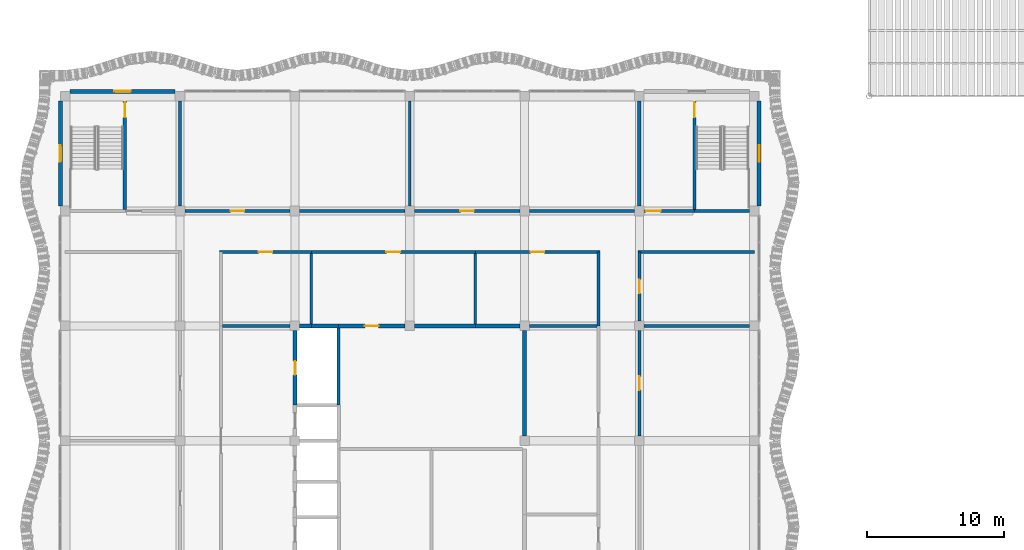
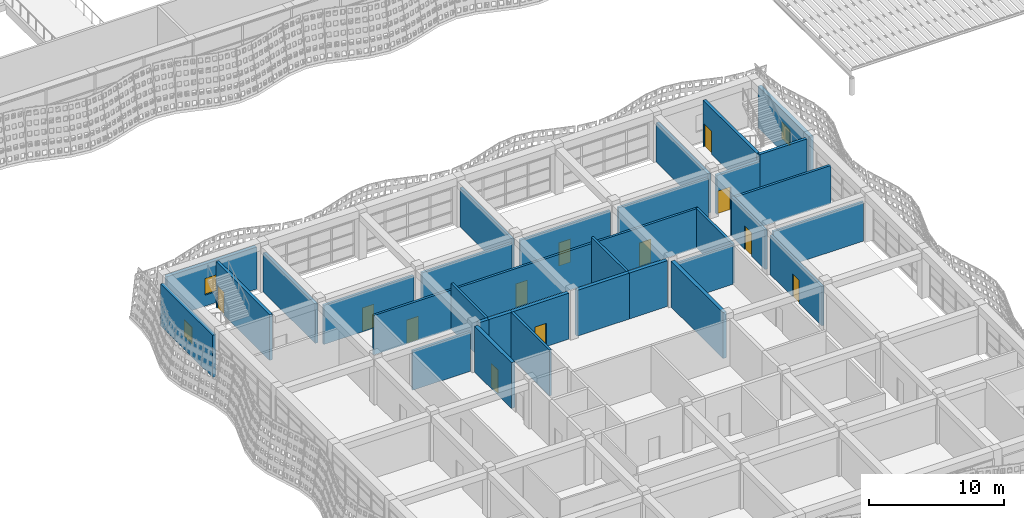
# One storey, part 80 of 162: 34 walls, 12 doors, 3 windows, 15 openings.
"""IFC4 building model written with IfcOpenShell, lengths in metres."""

from ifc_helpers import new_model, si_unit, direction, frame, frame_2d, origin, place, context, subcontext, project, spatial, rectangle, extrude, material, layer, layer_set, type_object, element, fill, save


model = new_model("IFC4")

# Units and contexts
model_context = context("Model", 3, precision=1e-05, world=origin(), true_north=direction((0.0, 1.0)))
body_context = subcontext(model_context, "Body", "Model", "MODEL_VIEW")
ifc_project = project(units=[si_unit("LENGTHUNIT", "METRE"), si_unit("AREAUNIT", "SQUARE_METRE"), si_unit("VOLUMEUNIT", "CUBIC_METRE"), si_unit("PLANEANGLEUNIT", "RADIAN"), si_unit("MASSUNIT", "GRAM", prefix="KILO")], contexts=[model_context])

# Site, building, storey
site_placement = place(None, origin())
site = spatial("IfcSite", under=ifc_project, at=site_placement, CompositionType="ELEMENT")
building_placement = place(site_placement, origin())
building = spatial("IfcBuilding", under=site, at=building_placement, Name="Rain Tree Exposition and Congress Centre", CompositionType="ELEMENT")
storey_placement = place(building_placement, frame((0.0, 0.0, 6.0)))
storey = spatial("IfcBuildingStorey", under=building, at=storey_placement, Name="L01", CompositionType="ELEMENT", Elevation=6.0)

# Walls
ifc_material_1 = material(Name="Plasterboard on steel stud", Category="steel")
ifc_layer_1 = layer(ifc_material_1, 0.199951171875)
ifc_layer_set_1 = layer_set([ifc_layer_1], Name="Plasterboard on steel stud")
wall_type_1 = type_object("IfcWallType", Name="Wing acoustic partition 200", PredefinedType="PARTITIONING", material=ifc_layer_set_1)
wall_1_placement = place(storey_placement, frame((11.5, 33.60009765625, 0.0), z_axis=(0.0, 0.0, 1.0), x_axis=(1.0, 0.0, 0.0)))
element("IfcWall", 1, at=wall_1_placement, inside=storey, type_object=wall_type_1, Name="wing/wall/L01/031", PredefinedType="PARTITIONING", context=body_context, shape_type="SweptSolid", body=[
    extrude(rectangle(XDim=4.949951171875, YDim=0.199951171875, at=frame_2d((2.47509765625, 0.0))), origin(), (0.0, 0.0, 1.0), 3.550048828125),
])
wall_2_placement = place(storey_placement, frame((42.35009765625, 33.60009765625, 0.0), z_axis=(0.0, 0.0, 1.0), x_axis=(1.0, 0.0, 0.0)))
element("IfcWall", 2, at=wall_2_placement, inside=storey, type_object=wall_type_1, Name="wing/wall/L01/038", PredefinedType="PARTITIONING", context=body_context, shape_type="SweptSolid", body=[
    extrude(rectangle(XDim=7.699951171875, YDim=0.199951171875, at=frame_2d((3.85009765625, 0.0))), origin(), (0.0, 0.0, 1.0), 3.550048828125),
])

# Wall, opening, door
wall_3_placement = place(storey_placement, frame((11.300048828125, 39.0, 0.0), z_axis=(0.0, 0.0, 1.0), x_axis=(1.0, 0.0, 0.0)))
wall_3 = element("IfcWall", 3, at=wall_3_placement, inside=storey, type_object=wall_type_1, Name="wing/wall/L01/040", PredefinedType="PARTITIONING", context=body_context, shape_type="SweptSolid", body=[
    extrude(rectangle(XDim=6.699951171875, YDim=0.199951171875, at=frame_2d((3.35009765625, 0.0))), origin(), (0.0, 0.0, 1.0), 3.550048828125),
])
opening_1_placement = place(wall_3_placement, frame((2.85009765625, 0.0, 0.0)))
opening_1 = element("IfcOpeningElement", 4, at=opening_1_placement, cuts=wall_3, Name="Opening DW234", PredefinedType="OPENING", context=body_context, shape_type="SweptSolid", body=[
    extrude(rectangle(XDim=1.0, YDim=2.10009765625, at=frame_2d((0.5, 1.050048828125))), frame((0.0, 0.10009765625, 0.0), z_axis=(0.0, -1.0, 0.0), x_axis=(1.0, 0.0, 0.0)), (0.0, 0.0, 1.0), 0.199951171875),
])
ifc_material_2 = material(Name="Timber door leaf", Category="wood")
door_type_1 = type_object("IfcDoorType", Name="Wing door FD30S 1000x2100", OperationType="NOTDEFINED", PredefinedType="DOOR", material=ifc_material_2)
door_1_placement = place(opening_1_placement, origin())
door_1 = element("IfcDoor", 5, at=door_1_placement, inside=storey, type_object=door_type_1, Name="Door DW234", OperationType="SINGLE_SWING_LEFT", OverallHeight=2.10009765625, OverallWidth=1.0, PredefinedType="DOOR", context=body_context, shape_type="SweptSolid", body=[
    extrude(rectangle(XDim=1.0, YDim=2.10009765625, at=frame_2d((0.5, 1.050048828125))), frame((0.0, 0.02490234375, 0.0), z_axis=(0.0, -1.0, 0.0), x_axis=(1.0, 0.0, 0.0)), (0.0, 0.0, 1.0), 0.050048828125),
])
fill(opening_1, door_1)

# Wall
wall_4_placement = place(storey_placement, frame((41.89990234375, 39.0, 0.0), z_axis=(0.0, 0.0, 1.0), x_axis=(1.0, 0.0, 0.0)))
element("IfcWall", 6, at=wall_4_placement, inside=storey, type_object=wall_type_1, Name="wing/wall/L01/043", PredefinedType="PARTITIONING", context=body_context, shape_type="SweptSolid", body=[
    extrude(rectangle(XDim=8.5, YDim=0.199951171875, at=frame_2d((4.25, 0.0))), origin(), (0.0, 0.0, 1.0), 3.449951171875),
])

# Wall, opening, door
wall_5_placement = place(storey_placement, frame((8.75, 42.0, 0.0), z_axis=(0.0, 0.0, 1.0), x_axis=(1.0, 0.0, 0.0)))
wall_5 = element("IfcWall", 7, at=wall_5_placement, inside=storey, type_object=wall_type_1, Name="wing/wall/L01/046", PredefinedType="PARTITIONING", context=body_context, shape_type="SweptSolid", body=[
    extrude(rectangle(XDim=7.699951171875, YDim=0.199951171875, at=frame_2d((3.85009765625, 0.0))), origin(), (0.0, 0.0, 1.0), 3.550048828125),
])
opening_2_placement = place(wall_5_placement, frame((3.35009765625, 0.0, 0.0)))
opening_2 = element("IfcOpeningElement", 8, at=opening_2_placement, cuts=wall_5, Name="Opening DW230", PredefinedType="OPENING", context=body_context, shape_type="SweptSolid", body=[
    extrude(rectangle(XDim=1.0, YDim=2.10009765625, at=frame_2d((0.5, 1.050048828125))), frame((0.0, 0.10009765625, 0.0), z_axis=(0.0, -1.0, 0.0), x_axis=(1.0, 0.0, 0.0)), (0.0, 0.0, 1.0), 0.199951171875),
])
door_2_placement = place(opening_2_placement, origin())
door_2 = element("IfcDoor", 9, at=door_2_placement, inside=storey, type_object=door_type_1, Name="Door DW230", OperationType="SINGLE_SWING_LEFT", OverallHeight=2.10009765625, OverallWidth=1.0, PredefinedType="DOOR", context=body_context, shape_type="SweptSolid", body=[
    extrude(rectangle(XDim=1.0, YDim=2.10009765625, at=frame_2d((0.5, 1.050048828125))), frame((0.0, 0.02490234375, 0.0), z_axis=(0.0, -1.0, 0.0), x_axis=(1.0, 0.0, 0.0)), (0.0, 0.0, 1.0), 0.050048828125),
])
fill(opening_2, door_2)

# Wall
wall_6_placement = place(storey_placement, frame((17.14990234375, 42.0, 0.0), z_axis=(0.0, 0.0, 1.0), x_axis=(1.0, 0.0, 0.0)))
element("IfcWall", 10, at=wall_6_placement, inside=storey, type_object=wall_type_1, Name="wing/wall/L01/047", PredefinedType="PARTITIONING", context=body_context, shape_type="SweptSolid", body=[
    extrude(rectangle(XDim=7.7001953125, YDim=0.199951171875, at=frame_2d((3.85009765625, 0.0))), origin(), (0.0, 0.0, 1.0), 3.550048828125),
])

# Wall, opening, door
wall_7_placement = place(storey_placement, frame((25.550048828125, 42.0, 0.0), z_axis=(0.0, 0.0, 1.0), x_axis=(1.0, 0.0, 0.0)))
wall_7 = element("IfcWall", 11, at=wall_7_placement, inside=storey, type_object=wall_type_1, Name="wing/wall/L01/048", PredefinedType="PARTITIONING", context=body_context, shape_type="SweptSolid", body=[
    extrude(rectangle(XDim=7.699951171875, YDim=0.199951171875, at=frame_2d((3.85009765625, 0.0))), origin(), (0.0, 0.0, 1.0), 3.550048828125),
])
opening_3_placement = place(wall_7_placement, frame((3.35009765625, 0.0, 0.0)))
opening_3 = element("IfcOpeningElement", 12, at=opening_3_placement, cuts=wall_7, Name="Opening DW231", PredefinedType="OPENING", context=body_context, shape_type="SweptSolid", body=[
    extrude(rectangle(XDim=1.0, YDim=2.10009765625, at=frame_2d((0.5, 1.050048828125))), frame((0.0, 0.10009765625, 0.0), z_axis=(0.0, -1.0, 0.0), x_axis=(1.0, 0.0, 0.0)), (0.0, 0.0, 1.0), 0.199951171875),
])
door_3_placement = place(opening_3_placement, origin())
door_3 = element("IfcDoor", 13, at=door_3_placement, inside=storey, type_object=door_type_1, Name="Door DW231", OperationType="SINGLE_SWING_LEFT", OverallHeight=2.10009765625, OverallWidth=1.0, PredefinedType="DOOR", context=body_context, shape_type="SweptSolid", body=[
    extrude(rectangle(XDim=1.0, YDim=2.10009765625, at=frame_2d((0.5, 1.050048828125))), frame((0.0, 0.02490234375, 0.0), z_axis=(0.0, -1.0, 0.0), x_axis=(1.0, 0.0, 0.0)), (0.0, 0.0, 1.0), 0.050048828125),
])
fill(opening_3, door_3)

# Walls
for number, where, z_axis, x_axis, name in (
    (14, (33.949951171875, 42.0, 0.0), (0.0, 0.0, 1.0), (1.0, 0.0, 0.0), "wing/wall/L01/049"),
    (15, (25.199951171875, 42.35009765625, 0.0), (0.0, 0.0, 1.0), (0.0, 1.0, 0.0), "wing/wall/L01/078"),
):
    element("IfcWall", number, at=place(storey_placement, frame(where, z_axis=z_axis, x_axis=x_axis)), inside=storey, type_object=wall_type_1, Name=name, PredefinedType="PARTITIONING", context=body_context, shape_type="SweptSolid", body=[
        extrude(rectangle(XDim=7.699951171875, YDim=0.199951171875, at=frame_2d((3.85009765625, 0.0))), origin(), (0.0, 0.0, 1.0), 3.550048828125),
    ])

# Wall, opening, door
wall_8_placement = place(storey_placement, frame((42.0, 25.550048828125, 0.0), z_axis=(0.0, 0.0, 1.0), x_axis=(0.0, 1.0, 0.0)))
wall_8 = element("IfcWall", 16, at=wall_8_placement, inside=storey, type_object=wall_type_1, Name="wing/wall/L01/093", PredefinedType="PARTITIONING", context=body_context, shape_type="SweptSolid", body=[
    extrude(rectangle(XDim=7.699951171875, YDim=0.199951171875, at=frame_2d((3.85009765625, 0.0))), origin(), (0.0, 0.0, 1.0), 3.550048828125),
])
opening_4_placement = place(wall_8_placement, frame((3.35009765625, 0.0, 0.0)))
opening_4 = element("IfcOpeningElement", 17, at=opening_4_placement, cuts=wall_8, Name="Opening DW226", PredefinedType="OPENING", context=body_context, shape_type="SweptSolid", body=[
    extrude(rectangle(XDim=1.0, YDim=2.10009765625, at=frame_2d((0.5, 1.050048828125))), frame((0.0, 0.10009765625, 0.0), z_axis=(0.0, -1.0, 0.0), x_axis=(1.0, 0.0, 0.0)), (0.0, 0.0, 1.0), 0.199951171875),
])
door_4_placement = place(opening_4_placement, origin())
door_4 = element("IfcDoor", 18, at=door_4_placement, inside=storey, type_object=door_type_1, Name="Door DW226", OperationType="SINGLE_SWING_LEFT", OverallHeight=2.10009765625, OverallWidth=1.0, PredefinedType="DOOR", context=body_context, shape_type="SweptSolid", body=[
    extrude(rectangle(XDim=1.0, YDim=2.10009765625, at=frame_2d((0.5, 1.050048828125))), frame((0.0, 0.02490234375, 0.0), z_axis=(0.0, -1.0, 0.0), x_axis=(1.0, 0.0, 0.0)), (0.0, 0.0, 1.0), 0.050048828125),
])
fill(opening_4, door_4)

wall_9_placement = place(storey_placement, frame((42.0, 33.949951171875, 0.0), z_axis=(0.0, 0.0, 1.0), x_axis=(0.0, 1.0, 0.0)))
wall_9 = element("IfcWall", 19, at=wall_9_placement, inside=storey, type_object=wall_type_1, Name="wing/wall/L01/094", PredefinedType="PARTITIONING", context=body_context, shape_type="SweptSolid", body=[
    extrude(rectangle(XDim=5.050048828125, YDim=0.199951171875, at=frame_2d((2.52490234375, 0.0))), origin(), (0.0, 0.0, 1.0), 3.550048828125),
])
opening_5_placement = place(wall_9_placement, frame((2.02490234375, 0.0, 0.0)))
opening_5 = element("IfcOpeningElement", 20, at=opening_5_placement, cuts=wall_9, Name="Opening DW227", PredefinedType="OPENING", context=body_context, shape_type="SweptSolid", body=[
    extrude(rectangle(XDim=1.0, YDim=2.10009765625, at=frame_2d((0.5, 1.050048828125))), frame((0.0, 0.10009765625, 0.0), z_axis=(0.0, -1.0, 0.0), x_axis=(1.0, 0.0, 0.0)), (0.0, 0.0, 1.0), 0.199951171875),
])
door_5_placement = place(opening_5_placement, origin())
door_5 = element("IfcDoor", 21, at=door_5_placement, inside=storey, type_object=door_type_1, Name="Door DW227", OperationType="SINGLE_SWING_LEFT", OverallHeight=2.10009765625, OverallWidth=1.0, PredefinedType="DOOR", context=body_context, shape_type="SweptSolid", body=[
    extrude(rectangle(XDim=1.0, YDim=2.10009765625, at=frame_2d((0.5, 1.050048828125))), frame((0.0, 0.02490234375, 0.0), z_axis=(0.0, -1.0, 0.0), x_axis=(1.0, 0.0, 0.0)), (0.0, 0.0, 1.0), 0.050048828125),
])
fill(opening_5, door_5)

# Walls
ifc_material_3 = material(Name="Concrete C40/50", Category="concrete")
ifc_layer_2 = layer(ifc_material_3, 0.300048828125)
ifc_layer_set_2 = layer_set([ifc_layer_2], Name="Concrete C40/50")
wall_type_2 = type_object("IfcWallType", Name="Wing core wall 300", PredefinedType="SHEAR", material=ifc_layer_set_2)
wall_10_placement = place(storey_placement, frame((17.14990234375, 33.60009765625, 0.0), z_axis=(0.0, 0.0, 1.0), x_axis=(1.0, 0.0, 0.0)))
element("IfcWall", 22, at=wall_10_placement, inside=storey, type_object=wall_type_2, Name="wing/wall/L01/032", PredefinedType="SHEAR", context=body_context, shape_type="SweptSolid", body=[
    extrude(rectangle(XDim=0.85009765625, YDim=0.300048828125, at=frame_2d((0.425048828125, 0.0))), origin(), (0.0, 0.0, 1.0), 4.14990234375),
])
wall_11_placement = place(storey_placement, frame((18.0, 33.60009765625, 0.0), z_axis=(0.0, 0.0, 1.0), x_axis=(1.0, 0.0, 0.0)))
element("IfcWall", 23, at=wall_11_placement, inside=storey, type_object=wall_type_2, Name="wing/wall/L01/033", PredefinedType="SHEAR", context=body_context, shape_type="SweptSolid", body=[
    extrude(rectangle(XDim=2.0, YDim=0.300048828125, at=frame_2d((1.0, 0.0))), origin(), (0.0, 0.0, 1.0), 4.14990234375),
])

# Wall, opening, door
wall_12_placement = place(storey_placement, frame((20.0, 33.60009765625, 0.0), z_axis=(0.0, 0.0, 1.0), x_axis=(1.0, 0.0, 0.0)))
wall_12 = element("IfcWall", 24, at=wall_12_placement, inside=storey, type_object=wall_type_2, Name="wing/wall/L01/034", PredefinedType="SHEAR", context=body_context, shape_type="SweptSolid", body=[
    extrude(rectangle(XDim=4.85009765625, YDim=0.300048828125, at=frame_2d((2.425048828125, 0.0))), origin(), (0.0, 0.0, 1.0), 4.14990234375),
])
opening_6_placement = place(wall_12_placement, frame((1.925048828125, 0.0, 0.0)))
opening_6 = element("IfcOpeningElement", 25, at=opening_6_placement, cuts=wall_12, Name="Opening DW216", PredefinedType="OPENING", context=body_context, shape_type="SweptSolid", body=[
    extrude(rectangle(XDim=1.0, YDim=2.10009765625, at=frame_2d((0.5, 1.050048828125))), frame((0.0, 0.14990234375, 0.0), z_axis=(0.0, -1.0, 0.0), x_axis=(1.0, 0.0, 0.0)), (0.0, 0.0, 1.0), 0.300048828125),
])
ifc_material_4 = material(Name="Timber door leaf", Category="wood")
door_type_2 = type_object("IfcDoorType", Name="Wing door FD60 1000x2100", OperationType="NOTDEFINED", PredefinedType="DOOR", material=ifc_material_4)
door_6_placement = place(opening_6_placement, origin())
door_6 = element("IfcDoor", 26, at=door_6_placement, inside=storey, type_object=door_type_2, Name="Door DW216", OperationType="SINGLE_SWING_LEFT", OverallHeight=2.10009765625, OverallWidth=1.0, PredefinedType="DOOR", context=body_context, shape_type="SweptSolid", body=[
    extrude(rectangle(XDim=1.0, YDim=2.10009765625, at=frame_2d((0.5, 1.050048828125))), frame((0.0, 0.02490234375, 0.0), z_axis=(0.0, -1.0, 0.0), x_axis=(1.0, 0.0, 0.0)), (0.0, 0.0, 1.0), 0.050048828125),
])
fill(opening_6, door_6)

# Walls
wall_13_placement = place(storey_placement, frame((25.550048828125, 33.60009765625, 0.0), z_axis=(0.0, 0.0, 1.0), x_axis=(1.0, 0.0, 0.0)))
element("IfcWall", 27, at=wall_13_placement, inside=storey, type_object=wall_type_2, Name="wing/wall/L01/035", PredefinedType="SHEAR", context=body_context, shape_type="SweptSolid", body=[
    extrude(rectangle(XDim=4.449951171875, YDim=0.300048828125, at=frame_2d((2.22509765625, 0.0))), origin(), (0.0, 0.0, 1.0), 4.14990234375),
])
wall_14_placement = place(storey_placement, frame((30.0, 33.60009765625, 0.0), z_axis=(0.0, 0.0, 1.0), x_axis=(1.0, 0.0, 0.0)))
element("IfcWall", 28, at=wall_14_placement, inside=storey, type_object=wall_type_2, Name="wing/wall/L01/036", PredefinedType="SHEAR", context=body_context, shape_type="SweptSolid", body=[
    extrude(rectangle(XDim=3.25, YDim=0.300048828125, at=frame_2d((1.625, 0.0))), origin(), (0.0, 0.0, 1.0), 4.14990234375),
])

# Wall, opening, door
wall_15_placement = place(storey_placement, frame((16.800048828125, 27.800048828125, 0.0), z_axis=(0.0, 0.0, 1.0), x_axis=(0.0, 1.0, 0.0)))
wall_15 = element("IfcWall", 29, at=wall_15_placement, inside=storey, type_object=wall_type_2, Name="wing/wall/L01/068", PredefinedType="SHEAR", context=body_context, shape_type="SweptSolid", body=[
    extrude(rectangle(XDim=5.449951171875, YDim=0.300048828125, at=frame_2d((2.72509765625, 0.0))), origin(), (0.0, 0.0, 1.0), 4.14990234375),
])
opening_7_placement = place(wall_15_placement, frame((2.22509765625, 0.0, 0.0)))
opening_7 = element("IfcOpeningElement", 30, at=opening_7_placement, cuts=wall_15, Name="Opening DW213", PredefinedType="OPENING", context=body_context, shape_type="SweptSolid", body=[
    extrude(rectangle(XDim=1.0, YDim=2.10009765625, at=frame_2d((0.5, 1.050048828125))), frame((0.0, 0.14990234375, 0.0), z_axis=(0.0, -1.0, 0.0), x_axis=(1.0, 0.0, 0.0)), (0.0, 0.0, 1.0), 0.300048828125),
])
ifc_material_5 = material(Name="Timber door leaf", Category="wood")
door_type_3 = type_object("IfcDoorType", Name="Wing riser access door FD60 1000x2100", OperationType="NOTDEFINED", PredefinedType="DOOR", material=ifc_material_5)
door_7_placement = place(opening_7_placement, origin())
door_7 = element("IfcDoor", 31, at=door_7_placement, inside=storey, type_object=door_type_3, Name="Riser access door DW213", OperationType="SINGLE_SWING_LEFT", OverallHeight=2.10009765625, OverallWidth=1.0, PredefinedType="DOOR", context=body_context, shape_type="SweptSolid", body=[
    extrude(rectangle(XDim=1.0, YDim=2.10009765625, at=frame_2d((0.5, 1.050048828125))), frame((0.0, 0.02490234375, 0.0), z_axis=(0.0, -1.0, 0.0), x_axis=(1.0, 0.0, 0.0)), (0.0, 0.0, 1.0), 0.050048828125),
])
fill(opening_7, door_7)

# Wall
wall_16_placement = place(storey_placement, frame((33.60009765625, 25.550048828125, 0.0), z_axis=(0.0, 0.0, 1.0), x_axis=(0.0, 1.0, 0.0)))
element("IfcWall", 32, at=wall_16_placement, inside=storey, type_object=wall_type_2, Name="wing/wall/L01/085", PredefinedType="SHEAR", context=body_context, shape_type="SweptSolid", body=[
    extrude(rectangle(XDim=7.699951171875, YDim=0.300048828125, at=frame_2d((3.85009765625, 0.0))), origin(), (0.0, 0.0, 1.0), 4.14990234375),
])

# Wall, opening, window
ifc_material_6 = material(Name="Insulated cavity wall")
ifc_layer_3 = layer(ifc_material_6, 0.300048828125)
ifc_layer_set_3 = layer_set([ifc_layer_3], Name="Insulated cavity wall")
wall_type_3 = type_object("IfcWallType", Name="Wing external wall 300", PredefinedType="SOLIDWALL", material=ifc_layer_set_3)
wall_17_placement = place(storey_placement, frame((0.35009765625, 50.75, 0.0), z_axis=(0.0, 0.0, 1.0), x_axis=(1.0, 0.0, 0.0)))
wall_17 = element("IfcWall", 33, at=wall_17_placement, inside=storey, type_object=wall_type_3, Name="wing/facade/L01/N0", PredefinedType="SOLIDWALL", context=body_context, shape_type="SweptSolid", body=[
    extrude(rectangle(XDim=7.699951171875, YDim=0.300048828125, at=frame_2d((3.85009765625, 0.0))), origin(), (0.0, 0.0, 1.0), 3.800048828125),
])
opening_8_placement = place(wall_17_placement, frame((3.25, 0.0, 1.0)))
opening_8 = element("IfcOpeningElement", 34, at=opening_8_placement, cuts=wall_17, Name="Opening WW203", PredefinedType="OPENING", context=body_context, shape_type="SweptSolid", body=[
    extrude(rectangle(XDim=1.199951171875, YDim=1.5, at=frame_2d((0.60009765625, 0.75))), frame((0.0, 0.14990234375, 0.0), z_axis=(0.0, -1.0, 0.0), x_axis=(1.0, 0.0, 0.0)), (0.0, 0.0, 1.0), 0.300048828125),
])
ifc_material_7 = material(Name="Aluminium framed glazing", Category="aluminium")
window_type = type_object("IfcWindowType", Name="Wing window 1200x1500", PartitioningType="SINGLE_PANEL", PredefinedType="WINDOW", material=ifc_material_7)
window_1_placement = place(opening_8_placement, origin())
window_1 = element("IfcWindow", 35, at=window_1_placement, inside=storey, type_object=window_type, Name="wing/window/L01/03", OverallHeight=1.5, OverallWidth=1.199951171875, PartitioningType="SINGLE_PANEL", PredefinedType="WINDOW", context=body_context, shape_type="SweptSolid", body=[
    extrude(rectangle(XDim=1.199951171875, YDim=1.5, at=frame_2d((0.60009765625, 0.75))), frame((0.0, 0.030029296875, 0.0), z_axis=(0.0, -1.0, 0.0), x_axis=(1.0, 0.0, 0.0)), (0.0, 0.0, 1.0), 0.06005859375),
])
fill(opening_8, window_1)

wall_18_placement = place(storey_placement, frame((-0.35009765625, 42.35009765625, 0.0), z_axis=(0.0, 0.0, 1.0), x_axis=(0.0, 1.0, 0.0)))
wall_18 = element("IfcWall", 36, at=wall_18_placement, inside=storey, type_object=wall_type_3, Name="wing/facade/L01/W5", PredefinedType="SOLIDWALL", context=body_context, shape_type="SweptSolid", body=[
    extrude(rectangle(XDim=7.699951171875, YDim=0.300048828125, at=frame_2d((3.85009765625, 0.0))), origin(), (0.0, 0.0, 1.0), 3.800048828125),
])
opening_9_placement = place(wall_18_placement, frame((3.25, 0.0, 1.0)))
opening_9 = element("IfcOpeningElement", 37, at=opening_9_placement, cuts=wall_18, Name="Opening WW206", PredefinedType="OPENING", context=body_context, shape_type="SweptSolid", body=[
    extrude(rectangle(XDim=1.199951171875, YDim=1.5, at=frame_2d((0.60009765625, 0.75))), frame((0.0, 0.14990234375, 0.0), z_axis=(0.0, -1.0, 0.0), x_axis=(1.0, 0.0, 0.0)), (0.0, 0.0, 1.0), 0.300048828125),
])
window_2_placement = place(opening_9_placement, origin())
window_2 = element("IfcWindow", 38, at=window_2_placement, inside=storey, type_object=window_type, Name="wing/window/L01/06", OverallHeight=1.5, OverallWidth=1.199951171875, PartitioningType="SINGLE_PANEL", PredefinedType="WINDOW", context=body_context, shape_type="SweptSolid", body=[
    extrude(rectangle(XDim=1.199951171875, YDim=1.5, at=frame_2d((0.60009765625, 0.75))), frame((0.0, 0.030029296875, 0.0), z_axis=(0.0, -1.0, 0.0), x_axis=(1.0, 0.0, 0.0)), (0.0, 0.0, 1.0), 0.06005859375),
])
fill(opening_9, window_2)

wall_19_placement = place(storey_placement, frame((50.75, 42.35009765625, 0.0), z_axis=(0.0, 0.0, 1.0), x_axis=(0.0, 1.0, 0.0)))
wall_19 = element("IfcWall", 39, at=wall_19_placement, inside=storey, type_object=wall_type_3, Name="wing/facade/L01/E5", PredefinedType="SOLIDWALL", context=body_context, shape_type="SweptSolid", body=[
    extrude(rectangle(XDim=7.699951171875, YDim=0.300048828125, at=frame_2d((3.85009765625, 0.0))), origin(), (0.0, 0.0, 1.0), 3.800048828125),
])
opening_10_placement = place(wall_19_placement, frame((3.25, 0.0, 1.0)))
opening_10 = element("IfcOpeningElement", 40, at=opening_10_placement, cuts=wall_19, Name="Opening WW208", PredefinedType="OPENING", context=body_context, shape_type="SweptSolid", body=[
    extrude(rectangle(XDim=1.199951171875, YDim=1.5, at=frame_2d((0.60009765625, 0.75))), frame((0.0, 0.14990234375, 0.0), z_axis=(0.0, -1.0, 0.0), x_axis=(1.0, 0.0, 0.0)), (0.0, 0.0, 1.0), 0.300048828125),
])
window_3_placement = place(opening_10_placement, origin())
window_3 = element("IfcWindow", 41, at=window_3_placement, inside=storey, type_object=window_type, Name="wing/window/L01/08", OverallHeight=1.5, OverallWidth=1.199951171875, PartitioningType="SINGLE_PANEL", PredefinedType="WINDOW", context=body_context, shape_type="SweptSolid", body=[
    extrude(rectangle(XDim=1.199951171875, YDim=1.5, at=frame_2d((0.60009765625, 0.75))), frame((0.0, 0.030029296875, 0.0), z_axis=(0.0, -1.0, 0.0), x_axis=(1.0, 0.0, 0.0)), (0.0, 0.0, 1.0), 0.06005859375),
])
fill(opening_10, window_3)

# Wall
ifc_material_8 = material(Name="Dense blockwork", Category="masonry")
ifc_layer_4 = layer(ifc_material_8, 0.199951171875)
ifc_layer_set_4 = layer_set([ifc_layer_4], Name="Dense blockwork")
wall_type_4 = type_object("IfcWallType", Name="Wing kitchen wall 200", PredefinedType="SOLIDWALL", material=ifc_layer_set_4)
wall_20_placement = place(storey_placement, frame((33.949951171875, 33.60009765625, 0.0), z_axis=(0.0, 0.0, 1.0), x_axis=(1.0, 0.0, 0.0)))
element("IfcWall", 42, at=wall_20_placement, inside=storey, type_object=wall_type_4, Name="wing/wall/L01/037", PredefinedType="SOLIDWALL", context=body_context, shape_type="SweptSolid", body=[
    extrude(rectangle(XDim=4.949951171875, YDim=0.199951171875, at=frame_2d((2.47509765625, 0.0))), origin(), (0.0, 0.0, 1.0), 3.550048828125),
])

# Wall, opening, door
wall_21_placement = place(storey_placement, frame((30.0, 39.0, 0.0), z_axis=(0.0, 0.0, 1.0), x_axis=(1.0, 0.0, 0.0)))
wall_21 = element("IfcWall", 43, at=wall_21_placement, inside=storey, type_object=wall_type_4, Name="wing/wall/L01/042", PredefinedType="SOLIDWALL", context=body_context, shape_type="SweptSolid", body=[
    extrude(rectangle(XDim=9.10009765625, YDim=0.199951171875, at=frame_2d((4.550048828125, 0.0))), origin(), (0.0, 0.0, 1.0), 3.550048828125),
])
opening_11_placement = place(wall_21_placement, frame((4.050048828125, 0.0, 0.0)))
opening_11 = element("IfcOpeningElement", 44, at=opening_11_placement, cuts=wall_21, Name="Opening DW235", PredefinedType="OPENING", context=body_context, shape_type="SweptSolid", body=[
    extrude(rectangle(XDim=1.0, YDim=2.10009765625, at=frame_2d((0.5, 1.050048828125))), frame((0.0, 0.10009765625, 0.0), z_axis=(0.0, -1.0, 0.0), x_axis=(1.0, 0.0, 0.0)), (0.0, 0.0, 1.0), 0.199951171875),
])
door_8_placement = place(opening_11_placement, origin())
door_8 = element("IfcDoor", 45, at=door_8_placement, inside=storey, type_object=door_type_2, Name="Door DW235", OperationType="SINGLE_SWING_LEFT", OverallHeight=2.10009765625, OverallWidth=1.0, PredefinedType="DOOR", context=body_context, shape_type="SweptSolid", body=[
    extrude(rectangle(XDim=1.0, YDim=2.10009765625, at=frame_2d((0.5, 1.050048828125))), frame((0.0, 0.02490234375, 0.0), z_axis=(0.0, -1.0, 0.0), x_axis=(1.0, 0.0, 0.0)), (0.0, 0.0, 1.0), 0.050048828125),
])
fill(opening_11, door_8)

# Wall
wall_22_placement = place(storey_placement, frame((39.0, 33.60009765625, 0.0), z_axis=(0.0, 0.0, 1.0), x_axis=(0.0, 1.0, 0.0)))
element("IfcWall", 46, at=wall_22_placement, inside=storey, type_object=wall_type_4, Name="wing/wall/L01/089", PredefinedType="SOLIDWALL", context=body_context, shape_type="SweptSolid", body=[
    extrude(rectangle(XDim=5.39990234375, YDim=0.199951171875, at=frame_2d((2.699951171875, 0.0))), origin(), (0.0, 0.0, 1.0), 3.550048828125),
])

# Wall, opening, door
ifc_material_9 = material(Name="Dense blockwork", Category="masonry")
ifc_layer_5 = layer(ifc_material_9, 0.199951171875)
ifc_layer_set_5 = layer_set([ifc_layer_5], Name="Dense blockwork")
wall_type_5 = type_object("IfcWallType", Name="Wing plant room wall 200", PredefinedType="SOLIDWALL", material=ifc_layer_set_5)
wall_23_placement = place(storey_placement, frame((18.0, 39.0, 0.0), z_axis=(0.0, 0.0, 1.0), x_axis=(1.0, 0.0, 0.0)))
wall_23 = element("IfcWall", 47, at=wall_23_placement, inside=storey, type_object=wall_type_5, Name="wing/wall/L01/041", PredefinedType="SOLIDWALL", context=body_context, shape_type="SweptSolid", body=[
    extrude(rectangle(XDim=12.0, YDim=0.199951171875, at=frame_2d((6.0, 0.0))), origin(), (0.0, 0.0, 1.0), 3.550048828125),
])
opening_12_placement = place(wall_23_placement, frame((5.5, 0.0, 0.0)))
opening_12 = element("IfcOpeningElement", 48, at=opening_12_placement, cuts=wall_23, Name="Opening DW218", PredefinedType="OPENING", context=body_context, shape_type="SweptSolid", body=[
    extrude(rectangle(XDim=1.0, YDim=2.10009765625, at=frame_2d((0.5, 1.050048828125))), frame((0.0, 0.10009765625, 0.0), z_axis=(0.0, -1.0, 0.0), x_axis=(1.0, 0.0, 0.0)), (0.0, 0.0, 1.0), 0.199951171875),
])
door_9_placement = place(opening_12_placement, origin())
door_9 = element("IfcDoor", 49, at=door_9_placement, inside=storey, type_object=door_type_2, Name="Door DW218", OperationType="SINGLE_SWING_LEFT", OverallHeight=2.10009765625, OverallWidth=1.0, PredefinedType="DOOR", context=body_context, shape_type="SweptSolid", body=[
    extrude(rectangle(XDim=1.0, YDim=2.10009765625, at=frame_2d((0.5, 1.050048828125))), frame((0.0, 0.02490234375, 0.0), z_axis=(0.0, -1.0, 0.0), x_axis=(1.0, 0.0, 0.0)), (0.0, 0.0, 1.0), 0.050048828125),
])
fill(opening_12, door_9)

# Walls
wall_24_placement = place(storey_placement, frame((18.0, 33.75, 0.0), z_axis=(0.0, 0.0, 1.0), x_axis=(0.0, 1.0, 0.0)))
element("IfcWall", 50, at=wall_24_placement, inside=storey, type_object=wall_type_5, Name="wing/wall/L01/070", PredefinedType="SOLIDWALL", context=body_context, shape_type="SweptSolid", body=[
    extrude(rectangle(XDim=5.14990234375, YDim=0.199951171875, at=frame_2d((2.574951171875, 0.0))), origin(), (0.0, 0.0, 1.0), 4.14990234375),
])
wall_25_placement = place(storey_placement, frame((20.0, 27.800048828125, 0.0), z_axis=(0.0, 0.0, 1.0), x_axis=(0.0, 1.0, 0.0)))
element("IfcWall", 51, at=wall_25_placement, inside=storey, type_object=wall_type_5, Name="wing/wall/L01/076", PredefinedType="SOLIDWALL", context=body_context, shape_type="SweptSolid", body=[
    extrude(rectangle(XDim=5.64990234375, YDim=0.199951171875, at=frame_2d((2.824951171875, 0.0))), origin(), (0.0, 0.0, 1.0), 4.14990234375),
])
wall_26_placement = place(storey_placement, frame((30.0, 33.75, 0.0), z_axis=(0.0, 0.0, 1.0), x_axis=(0.0, 1.0, 0.0)))
element("IfcWall", 52, at=wall_26_placement, inside=storey, type_object=wall_type_5, Name="wing/wall/L01/081", PredefinedType="SOLIDWALL", context=body_context, shape_type="SweptSolid", body=[
    extrude(rectangle(XDim=5.14990234375, YDim=0.199951171875, at=frame_2d((2.574951171875, 0.0))), origin(), (0.0, 0.0, 1.0), 4.14990234375),
])

# Wall, opening, door
ifc_material_10 = material(Name="Concrete C40/50", Category="concrete")
ifc_layer_6 = layer(ifc_material_10, 0.25)
ifc_layer_set_6 = layer_set([ifc_layer_6], Name="Concrete C40/50")
wall_type_6 = type_object("IfcWallType", Name="Wing stair wall 250", PredefinedType="SHEAR", material=ifc_layer_set_6)
wall_27_placement = place(storey_placement, frame((42.35009765625, 42.0, 0.0), z_axis=(0.0, 0.0, 1.0), x_axis=(1.0, 0.0, 0.0)))
wall_27 = element("IfcWall", 53, at=wall_27_placement, inside=storey, type_object=wall_type_6, Name="wing/wall/L01/050", PredefinedType="SHEAR", context=body_context, shape_type="SweptSolid", body=[
    extrude(rectangle(XDim=3.6748046875, YDim=0.25, at=frame_2d((1.83740234375, 0.0))), origin(), (0.0, 0.0, 1.0), 3.550048828125),
])
opening_13_placement = place(wall_27_placement, frame((0.10009765625, 0.0, 0.0)))
opening_13 = element("IfcOpeningElement", 54, at=opening_13_placement, cuts=wall_27, Name="Opening DW208", PredefinedType="OPENING", context=body_context, shape_type="SweptSolid", body=[
    extrude(rectangle(XDim=1.10009765625, YDim=2.10009765625, at=frame_2d((0.550048828125, 1.050048828125))), frame((0.0, 0.125, 0.0), z_axis=(0.0, -1.0, 0.0), x_axis=(1.0, 0.0, 0.0)), (0.0, 0.0, 1.0), 0.25),
])
ifc_material_11 = material(Name="Timber door leaf", Category="wood")
door_type_4 = type_object("IfcDoorType", Name="Wing door FD60 1100x2100", OperationType="NOTDEFINED", PredefinedType="DOOR", material=ifc_material_11)
door_10_placement = place(opening_13_placement, origin())
door_10 = element("IfcDoor", 55, at=door_10_placement, inside=storey, type_object=door_type_4, Name="Door DW208", OperationType="SINGLE_SWING_LEFT", OverallHeight=2.10009765625, OverallWidth=1.10009765625, PredefinedType="DOOR", context=body_context, shape_type="SweptSolid", body=[
    extrude(rectangle(XDim=1.10009765625, YDim=2.10009765625, at=frame_2d((0.550048828125, 1.050048828125))), frame((0.0, 0.02490234375, 0.0), z_axis=(0.0, -1.0, 0.0), x_axis=(1.0, 0.0, 0.0)), (0.0, 0.0, 1.0), 0.050048828125),
])
fill(opening_13, door_10)

# Wall
wall_28_placement = place(storey_placement, frame((46.02490234375, 42.0, 0.0), z_axis=(0.0, 0.0, 1.0), x_axis=(1.0, 0.0, 0.0)))
element("IfcWall", 56, at=wall_28_placement, inside=storey, type_object=wall_type_6, Name="wing/wall/L01/051", PredefinedType="SHEAR", context=body_context, shape_type="SweptSolid", body=[
    extrude(rectangle(XDim=4.025146484375, YDim=0.25, at=frame_2d((2.0126953125, 0.0))), origin(), (0.0, 0.0, 1.0), 4.14990234375),
])

# Wall, opening, door
wall_29_placement = place(storey_placement, frame((4.375, 42.125, 0.0), z_axis=(0.0, 0.0, 1.0), x_axis=(0.0, 1.0, 0.0)))
wall_29 = element("IfcWall", 57, at=wall_29_placement, inside=storey, type_object=wall_type_6, Name="wing/wall/L01/053", PredefinedType="SHEAR", context=body_context, shape_type="SweptSolid", body=[
    extrude(rectangle(XDim=7.925048828125, YDim=0.25, at=frame_2d((3.96240234375, 0.0))), origin(), (0.0, 0.0, 1.0), 4.14990234375),
])
opening_14_placement = place(wall_29_placement, frame((6.72509765625, 0.0, 0.0)))
opening_14 = element("IfcOpeningElement", 58, at=opening_14_placement, cuts=wall_29, Name="Opening DW205", PredefinedType="OPENING", context=body_context, shape_type="SweptSolid", body=[
    extrude(rectangle(XDim=1.10009765625, YDim=2.10009765625, at=frame_2d((0.550048828125, 1.050048828125))), frame((0.0, 0.125, 0.0), z_axis=(0.0, -1.0, 0.0), x_axis=(1.0, 0.0, 0.0)), (0.0, 0.0, 1.0), 0.25),
])
door_11_placement = place(opening_14_placement, origin())
door_11 = element("IfcDoor", 59, at=door_11_placement, inside=storey, type_object=door_type_4, Name="Door DW205", OperationType="SINGLE_SWING_RIGHT", OverallHeight=2.10009765625, OverallWidth=1.10009765625, PredefinedType="DOOR", context=body_context, shape_type="SweptSolid", body=[
    extrude(rectangle(XDim=1.10009765625, YDim=2.10009765625, at=frame_2d((0.550048828125, 1.050048828125))), frame((0.0, 0.02490234375, 0.0), z_axis=(0.0, -1.0, 0.0), x_axis=(1.0, 0.0, 0.0)), (0.0, 0.0, 1.0), 0.050048828125),
])
fill(opening_14, door_11)

# Walls
for number, where, z_axis, x_axis, name in (
    (60, (8.39990234375, 42.35009765625, 0.0), (0.0, 0.0, 1.0), (0.0, 1.0, 0.0), "wing/wall/L01/059"),
    (61, (42.0, 42.35009765625, 0.0), (0.0, 0.0, 1.0), (0.0, 1.0, 0.0), "wing/wall/L01/095"),
):
    element("IfcWall", number, at=place(storey_placement, frame(where, z_axis=z_axis, x_axis=x_axis)), inside=storey, type_object=wall_type_6, Name=name, PredefinedType="SHEAR", context=body_context, shape_type="SweptSolid", body=[
        extrude(rectangle(XDim=7.699951171875, YDim=0.25, at=frame_2d((3.85009765625, 0.0))), origin(), (0.0, 0.0, 1.0), 3.550048828125),
    ])

# Wall, opening, door
wall_30_placement = place(storey_placement, frame((46.02490234375, 42.125, 0.0), z_axis=(0.0, 0.0, 1.0), x_axis=(0.0, 1.0, 0.0)))
wall_30 = element("IfcWall", 62, at=wall_30_placement, inside=storey, type_object=wall_type_6, Name="wing/wall/L01/097", PredefinedType="SHEAR", context=body_context, shape_type="SweptSolid", body=[
    extrude(rectangle(XDim=7.925048828125, YDim=0.25, at=frame_2d((3.96240234375, 0.0))), origin(), (0.0, 0.0, 1.0), 4.14990234375),
])
opening_15_placement = place(wall_30_placement, frame((6.72509765625, 0.0, 0.0)))
opening_15 = element("IfcOpeningElement", 63, at=opening_15_placement, cuts=wall_30, Name="Opening DW207", PredefinedType="OPENING", context=body_context, shape_type="SweptSolid", body=[
    extrude(rectangle(XDim=1.10009765625, YDim=2.10009765625, at=frame_2d((0.550048828125, 1.050048828125))), frame((0.0, 0.125, 0.0), z_axis=(0.0, -1.0, 0.0), x_axis=(1.0, 0.0, 0.0)), (0.0, 0.0, 1.0), 0.25),
])
door_12_placement = place(opening_15_placement, origin())
door_12 = element("IfcDoor", 64, at=door_12_placement, inside=storey, type_object=door_type_4, Name="Door DW207", OperationType="SINGLE_SWING_RIGHT", OverallHeight=2.10009765625, OverallWidth=1.10009765625, PredefinedType="DOOR", context=body_context, shape_type="SweptSolid", body=[
    extrude(rectangle(XDim=1.10009765625, YDim=2.10009765625, at=frame_2d((0.550048828125, 1.050048828125))), frame((0.0, 0.02490234375, 0.0), z_axis=(0.0, -1.0, 0.0), x_axis=(1.0, 0.0, 0.0)), (0.0, 0.0, 1.0), 0.050048828125),
])
fill(opening_15, door_12)

save(model, "model.ifc")
